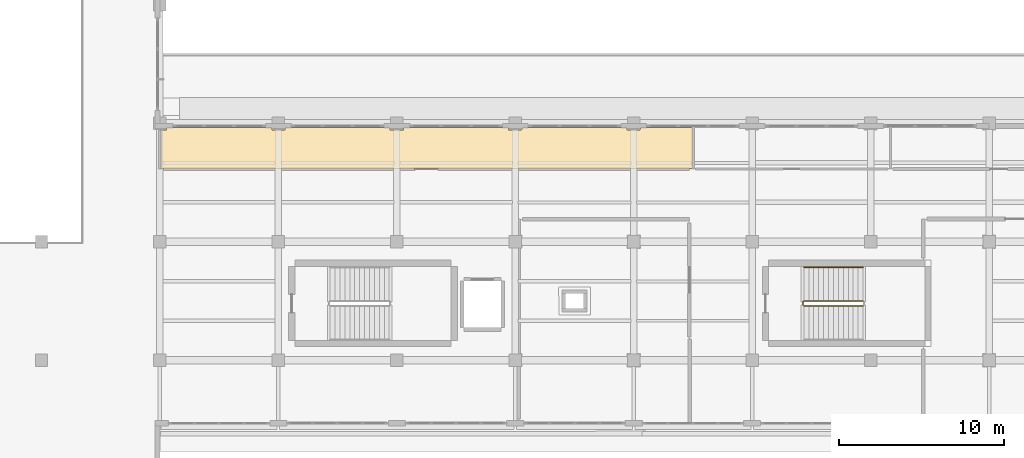
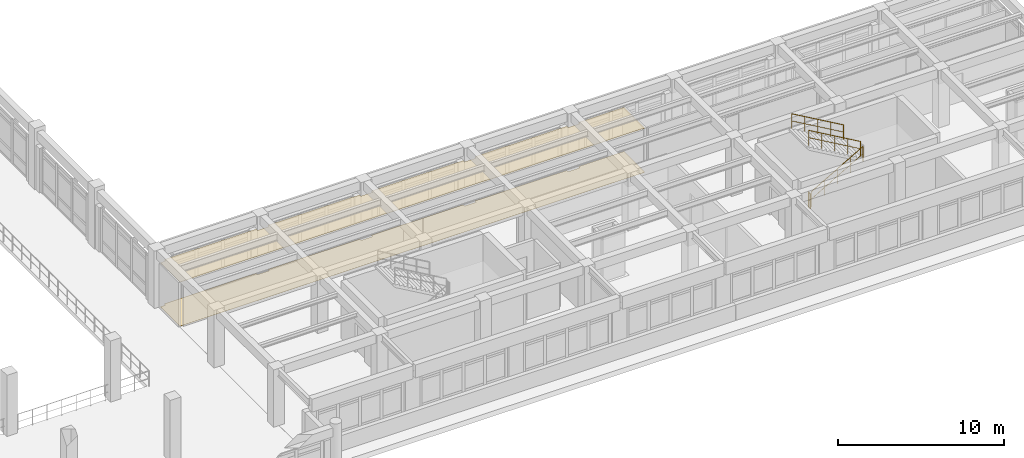
# One storey, part 55 of 64: 4 railings, 2 coverings.
"""IFC4 building model written with IfcOpenShell, lengths in metres."""

from ifc_helpers import new_model, si_unit, direction, frame, origin, origin_2d, place, context, subcontext, project, spatial, polyline, circle, outline, extrude, material, layer, layer_set, type_object, element, save


model = new_model("IFC4")

# Units and contexts
model_context = context("Model", 3, precision=1e-05, world=origin(), true_north=direction((0.0, 1.0)))
body_context = subcontext(model_context, "Body", "Model", "MODEL_VIEW")
ifc_project = project(units=[si_unit("LENGTHUNIT", "METRE"), si_unit("AREAUNIT", "SQUARE_METRE"), si_unit("VOLUMEUNIT", "CUBIC_METRE"), si_unit("PLANEANGLEUNIT", "RADIAN"), si_unit("MASSUNIT", "GRAM", prefix="KILO")], contexts=[model_context])

# Site, building, storey
site_placement = place(None, origin())
site = spatial("IfcSite", under=ifc_project, at=site_placement, CompositionType="ELEMENT")
building_placement = place(site_placement, origin())
building = spatial("IfcBuilding", under=site, at=building_placement, Name="Solenvale Faculty of Natural Sciences", CompositionType="ELEMENT")
storey_placement = place(building_placement, frame((0.0, 0.0, 18.0)))
storey = spatial("IfcBuildingStorey", under=building, at=storey_placement, Name="L04", CompositionType="ELEMENT", Elevation=18.0)

# Coverings
ifc_material_1 = material(Name="Acoustic mineral-timber ceiling", Category="wood")
ifc_layer_1 = layer(ifc_material_1, 0.02490234375)
ifc_layer_set_1 = layer_set([ifc_layer_1], Name="Acoustic mineral-timber ceiling")
covering_type_1 = type_object("IfcCoveringType", Name="COV-CEIL-AC25", PredefinedType="CEILING", material=ifc_layer_set_1)
covering_1_placement = place(storey_placement, frame((0.0, 0.0, 3.235107421875)))
element("IfcCovering", 1, at=covering_1_placement, inside=storey, type_object=covering_type_1, Name="L04 Terrace Ecology Laboratory Acoustic Ceiling", PredefinedType="CEILING", context=body_context, shape_type="SweptSolid", body=[
    extrude(outline(polyline([(64.3701171875, 35.760009765625), (64.39892578125, 35.739013671875), (64.39990234375, 35.60888671875), (64.410888671875, 35.60009765625), (65.19189453125, 35.60009765625), (65.200927734375, 35.736083984375), (65.22998046875, 35.760009765625), (71.570068359375, 35.760009765625), (71.59912109375, 35.739013671875), (71.60009765625, 35.60888671875), (71.611083984375, 35.60009765625), (72.39208984375, 35.60009765625), (72.40087890625, 35.736083984375), (72.429931640625, 35.760009765625), (78.77001953125, 35.760009765625), (78.799072265625, 35.739013671875), (78.800048828125, 35.60888671875), (78.81103515625, 35.60009765625), (79.592041015625, 35.60009765625), (79.60107421875, 35.736083984375), (79.6298828125, 35.760009765625), (85.969970703125, 35.760009765625), (85.9990234375, 35.739013671875), (86.0, 35.60888671875), (86.010986328125, 35.60009765625), (86.7919921875, 35.60009765625), (86.801025390625, 35.736083984375), (86.830078125, 35.760009765625), (89.952880859375, 35.760009765625), (89.97998046875, 35.72998046875), (89.97998046875, 33.26708984375), (89.949951171875, 33.239990234375), (57.669921875, 33.239990234375), (57.64208984375, 33.259033203125), (57.64111328125, 35.575927734375), (57.6669921875, 35.60009765625), (57.9951171875, 35.60107421875), (58.0009765625, 35.736083984375), (58.01904296875, 35.758056640625), (64.3701171875, 35.760009765625)])), origin(), (0.0, 0.0, 1.0), 0.02490234375),
])
ifc_material_2 = material(Name="Seamless laboratory vinyl flooring")
ifc_layer_2 = layer(ifc_material_2, 0.008056640625)
ifc_layer_set_2 = layer_set([ifc_layer_2], Name="Seamless laboratory vinyl flooring")
covering_type_2 = type_object("IfcCoveringType", Name="COV-FLR-VNL08", PredefinedType="FLOORING", material=ifc_layer_set_2)
covering_2_placement = place(storey_placement, origin())
element("IfcCovering", 2, at=covering_2_placement, inside=storey, type_object=covering_type_2, Name="L04 Terrace Ecology Laboratory Floor Finish", PredefinedType="FLOORING", context=body_context, shape_type="SweptSolid", body=[
    extrude(outline(polyline([(64.3701171875, 35.760009765625), (64.39892578125, 35.739013671875), (64.39990234375, 35.60888671875), (64.410888671875, 35.60009765625), (65.19189453125, 35.60009765625), (65.200927734375, 35.736083984375), (65.22998046875, 35.760009765625), (71.570068359375, 35.760009765625), (71.59912109375, 35.739013671875), (71.60009765625, 35.60888671875), (71.611083984375, 35.60009765625), (72.39208984375, 35.60009765625), (72.40087890625, 35.736083984375), (72.429931640625, 35.760009765625), (78.77001953125, 35.760009765625), (78.799072265625, 35.739013671875), (78.800048828125, 35.60888671875), (78.81103515625, 35.60009765625), (79.592041015625, 35.60009765625), (79.60107421875, 35.736083984375), (79.6298828125, 35.760009765625), (85.969970703125, 35.760009765625), (85.9990234375, 35.739013671875), (86.0, 35.60888671875), (86.010986328125, 35.60009765625), (86.7919921875, 35.60009765625), (86.801025390625, 35.736083984375), (86.830078125, 35.760009765625), (89.952880859375, 35.760009765625), (89.97998046875, 35.72998046875), (89.97998046875, 33.26708984375), (89.949951171875, 33.239990234375), (57.669921875, 33.239990234375), (57.64208984375, 33.259033203125), (57.64111328125, 35.575927734375), (57.6669921875, 35.60009765625), (57.9951171875, 35.60107421875), (58.0009765625, 35.736083984375), (58.01904296875, 35.758056640625), (64.3701171875, 35.760009765625)])), origin(), (0.0, 0.0, 1.0), 0.008056640625),
])

# Railings
ifc_material_3 = material(Name="Stainless steel Grade 304", Category="steel")
railing_type_1 = type_object("IfcRailingType", Name="RL-GRD-1100", PredefinedType="GUARDRAIL", material=ifc_material_3)
railing_1_placement = place(storey_placement, frame((96.739990234375, 24.89990234375, 0.173095703125)))
element("IfcRailing", 3, at=railing_1_placement, inside=storey, type_object=railing_type_1, Name="L04 ST-07 stair guard 1", PredefinedType="GUARDRAIL", context=body_context, shape_type="SweptSolid", body=[
    extrude(circle(Radius=0.02392578125, at=origin_2d()), frame((0.0, 0.0, 1.09619140625), z_axis=(0.866193409371, 0.0, 0.499708892819), x_axis=(0.0, 1.0, 0.0)), (0.0, 0.0, 1.0), 4.15625),
    extrude(circle(Radius=0.01611328125, at=origin_2d()), frame((0.0, 0.0, 0.56005859375), z_axis=(0.866193409371, 0.0, 0.499708892819), x_axis=(0.0, 1.0, 0.0)), (0.0, 0.0, 1.0), 4.15625),
    extrude(circle(Radius=0.02099609375, at=origin_2d()), origin(), (0.0, 0.0, 1.0), 1.072021484375),
    extrude(circle(Radius=0.02099609375, at=origin_2d()), frame((0.89990234375, 0.0, 0.519287109375)), (0.0, 0.0, 1.0), 1.072021484375),
    extrude(circle(Radius=0.02099609375, at=origin_2d()), frame((1.800048828125, 0.0, 1.03857421875)), (0.0, 0.0, 1.0), 1.072021484375),
    extrude(circle(Radius=0.02099609375, at=origin_2d()), frame((2.7001953125, 0.0, 1.5576171875)), (0.0, 0.0, 1.0), 1.072021484375),
    extrude(circle(Radius=0.02099609375, at=origin_2d()), frame((3.60009765625, 0.0, 2.076904296875)), (0.0, 0.0, 1.0), 1.072021484375),
])
railing_2_placement = place(storey_placement, frame((100.340087890625, 25.199951171875, 2.423095703125)))
element("IfcRailing", 4, at=railing_2_placement, inside=storey, type_object=railing_type_1, Name="L04 ST-07 stair guard 3", PredefinedType="GUARDRAIL", context=body_context, shape_type="SweptSolid", body=[
    extrude(circle(Radius=0.02392578125, at=origin_2d()), frame((0.0, 0.0, 1.09619140625), z_axis=(-0.866193409371, 0.0, 0.499708892819), x_axis=(0.0, -1.0, 0.0)), (0.0, 0.0, 1.0), 4.15625),
    extrude(circle(Radius=0.01611328125, at=origin_2d()), frame((0.0, 0.0, 0.56005859375), z_axis=(-0.866193409371, 0.0, 0.499708892819), x_axis=(0.0, -1.0, 0.0)), (0.0, 0.0, 1.0), 4.15625),
    extrude(circle(Radius=0.02099609375, at=origin_2d()), origin(), (0.0, 0.0, 1.0), 1.072021484375),
    extrude(circle(Radius=0.02099609375, at=origin_2d()), frame((-0.89990234375, 0.0, 0.519287109375)), (0.0, 0.0, 1.0), 1.072021484375),
    extrude(circle(Radius=0.02099609375, at=origin_2d()), frame((-1.800048828125, 0.0, 1.03857421875)), (0.0, 0.0, 1.0), 1.072021484375),
    extrude(circle(Radius=0.02099609375, at=origin_2d()), frame((-2.7001953125, 0.0, 1.5576171875)), (0.0, 0.0, 1.0), 1.072021484375),
    extrude(circle(Radius=0.02099609375, at=origin_2d()), frame((-3.60009765625, 0.0, 2.076904296875)), (0.0, 0.0, 1.0), 1.072021484375),
])
railing_3_placement = place(storey_placement, frame((96.68994140625, 24.949951171875, 0.0)))
element("IfcRailing", 5, at=railing_3_placement, inside=storey, type_object=railing_type_1, Name="L04 ST-07 stair guard 4", PredefinedType="GUARDRAIL", context=body_context, shape_type="SweptSolid", body=[
    extrude(circle(Radius=0.02392578125, at=origin_2d()), frame((0.0, 0.0, 1.09619140625), z_axis=(0.0, 1.0, 0.0), x_axis=(-1.0, 0.0, 0.0)), (0.0, 0.0, 1.0), 0.199951171875),
    extrude(circle(Radius=0.01611328125, at=origin_2d()), frame((0.0, 0.0, 0.56005859375), z_axis=(0.0, 1.0, 0.0), x_axis=(-1.0, 0.0, 0.0)), (0.0, 0.0, 1.0), 0.199951171875),
    extrude(circle(Radius=0.02099609375, at=origin_2d()), origin(), (0.0, 0.0, 1.0), 1.072021484375),
    extrude(circle(Radius=0.02099609375, at=origin_2d()), frame((0.0, 0.199951171875, 0.0)), (0.0, 0.0, 1.0), 1.072021484375),
])
railing_type_2 = type_object("IfcRailingType", Name="RL-HND-900", PredefinedType="HANDRAIL", material=ifc_material_3)
railing_4_placement = place(storey_placement, frame((100.340087890625, 27.25, 2.423095703125)))
element("IfcRailing", 6, at=railing_4_placement, inside=storey, type_object=railing_type_2, Name="L04 ST-07 stair handrail 2", PredefinedType="HANDRAIL", context=body_context, shape_type="SweptSolid", body=[
    extrude(circle(Radius=0.02392578125, at=origin_2d()), frame((0.0, 0.0, 1.0732421875), z_axis=(-0.866193409371, 0.0, 0.499708892819), x_axis=(0.0, -1.0, 0.0)), (0.0, 0.0, 1.0), 4.15625),
    extrude(circle(Radius=0.01611328125, at=origin_2d()), frame((0.0, 0.0, 0.548583984375), z_axis=(-0.866193409371, 0.0, 0.499708892819), x_axis=(0.0, -1.0, 0.0)), (0.0, 0.0, 1.0), 4.15625),
    extrude(circle(Radius=0.02099609375, at=origin_2d()), origin(), (0.0, 0.0, 1.0), 1.049072265625),
    extrude(circle(Radius=0.02099609375, at=origin_2d()), frame((-0.89990234375, 0.0, 0.519287109375)), (0.0, 0.0, 1.0), 1.049072265625),
    extrude(circle(Radius=0.02099609375, at=origin_2d()), frame((-1.800048828125, 0.0, 1.03857421875)), (0.0, 0.0, 1.0), 1.049072265625),
    extrude(circle(Radius=0.02099609375, at=origin_2d()), frame((-2.7001953125, 0.0, 1.5576171875)), (0.0, 0.0, 1.0), 1.049072265625),
    extrude(circle(Radius=0.02099609375, at=origin_2d()), frame((-3.60009765625, 0.0, 2.076904296875)), (0.0, 0.0, 1.0), 1.049072265625),
])

save(model, "model.ifc")
